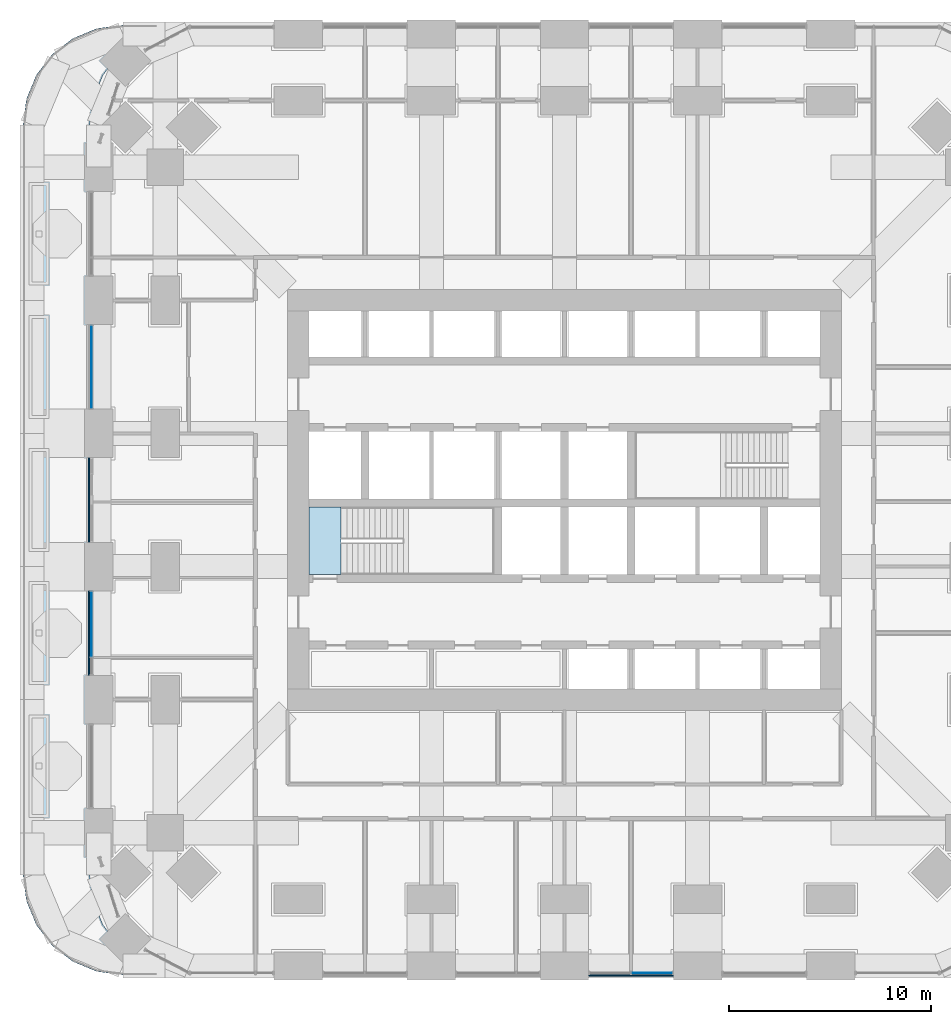
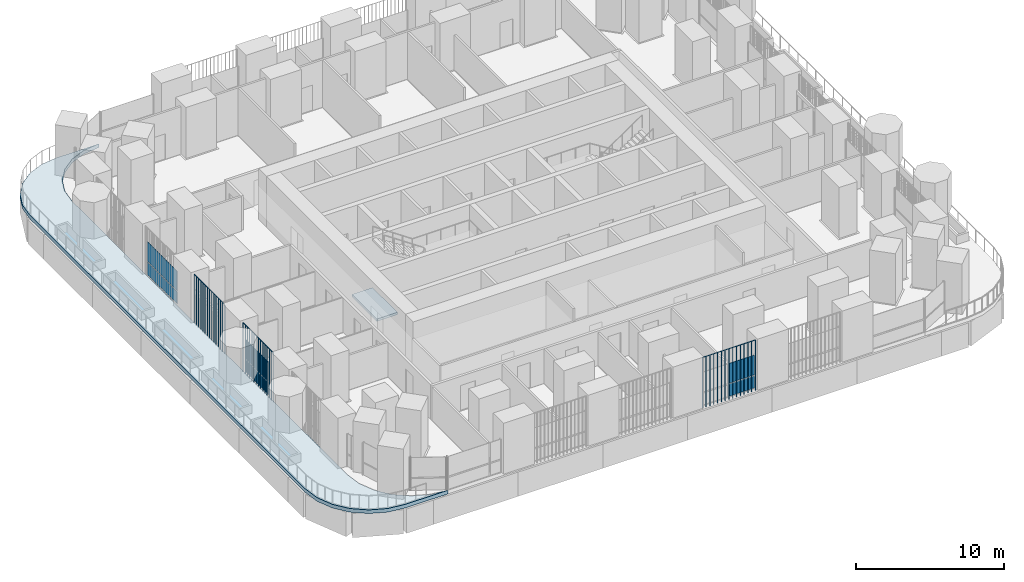
# One storey, part 11 of 27: 9 plates, 2 slabs, 4 elements without a shape of their own.
"""IFC4 building model written with IfcOpenShell, lengths in metres."""

from ifc_helpers import new_model, si_unit, direction, frame, origin, origin_2d, place, context, subcontext, project, spatial, polyline, rectangle, outline, extrude, material, layer, layer_set, type_object, element, aggregate, save


model = new_model("IFC4")

# Units and contexts
model_context = context("Model", 3, precision=1e-05, world=origin(), true_north=direction((0.0, 1.0)))
body_context = subcontext(model_context, "Body", "Model", "MODEL_VIEW")
ifc_project = project(units=[si_unit("LENGTHUNIT", "METRE"), si_unit("AREAUNIT", "SQUARE_METRE"), si_unit("VOLUMEUNIT", "CUBIC_METRE"), si_unit("PLANEANGLEUNIT", "RADIAN"), si_unit("MASSUNIT", "GRAM", prefix="KILO")], contexts=[model_context])

# Site, building, storey
site_placement = place(None, origin())
site = spatial("IfcSite", under=ifc_project, at=site_placement, CompositionType="ELEMENT")
building_placement = place(site_placement, origin())
building = spatial("IfcBuilding", under=site, at=building_placement, Name="Cobogo Forest Laboratory Tower", CompositionType="ELEMENT")
storey_placement = place(building_placement, frame((0.0, 0.0, 82.199951171875)))
storey = spatial("IfcBuildingStorey", under=building, at=storey_placement, Name="L18", CompositionType="ELEMENT", Elevation=82.199951171875)

# Curtain wall, plates
ifc_material_1 = material(Name="Aluminium curtain wall", Category="aluminium")
curtain_wall_type = type_object("IfcCurtainWallType", Name="CW-1 unitised curtain wall, clear glazing, laboratory floors zones A and B", PredefinedType="USERDEFINED", material=ifc_material_1)
curtain_wall_1_placement = place(storey_placement, origin())
curtain_wall_1 = element("IfcCurtainWall", 1, at=curtain_wall_1_placement, inside=storey, type_object=curtain_wall_type, Name="Curtain wall 04 L18", ObjectType="UNITISED CURTAIN WALL", PredefinedType="USERDEFINED")
ifc_material_2 = material(Name="Clear insulated glass", Category="glass")
ifc_layer_1 = layer(ifc_material_2, 0.028076171875)
ifc_layer_set_1 = layer_set([ifc_layer_1], Name="GP-1 clear insulated glass unit 28")
plate_type_1 = type_object("IfcPlateType", Name="GP-1 clear insulated glass unit 28", PredefinedType="CURTAIN_PANEL", material=ifc_layer_set_1)
plate_1_placement = place(storey_placement, frame((30.735107421875, -0.35009765625, 0.0), z_axis=(0.0, 0.0, 1.0), x_axis=(1.0, 0.0, 0.0)))
plate_1 = element("IfcPlate", 2, at=plate_1_placement, type_object=plate_type_1, Name="CW-1 panel 2.1", PredefinedType="CURTAIN_PANEL", context=body_context, shape_type="SweptSolid", body=[
    extrude(rectangle(XDim=2.010009765625, YDim=0.028076171875, at=origin_2d()), origin(), (0.0, 0.0, 1.0), 1.02001953125),
])
plate_2_placement = place(storey_placement, frame((30.735107421875, -0.35009765625, 1.080078125), z_axis=(0.0, 0.0, 1.0), x_axis=(1.0, 0.0, 0.0)))
plate_2 = element("IfcPlate", 3, at=plate_2_placement, type_object=plate_type_1, Name="CW-1 panel 2.2", PredefinedType="CURTAIN_PANEL", context=body_context, shape_type="SweptSolid", body=[
    extrude(rectangle(XDim=2.010009765625, YDim=0.028076171875, at=origin_2d()), origin(), (0.0, 0.0, 1.0), 1.6201171875),
])
aggregate(curtain_wall_1, [plate_1, plate_2])

curtain_wall_2_placement = place(storey_placement, origin())
curtain_wall_2 = element("IfcCurtainWall", 4, at=curtain_wall_2_placement, inside=storey, type_object=curtain_wall_type, Name="Curtain wall 28 L18", ObjectType="UNITISED CURTAIN WALL", PredefinedType="USERDEFINED")
plate_3_placement = place(storey_placement, frame((2.949951171875, 29.699951171875, 0.0), z_axis=(0.0, 0.0, 1.0), x_axis=(0.0, -1.0, 0.0)))
plate_3 = element("IfcPlate", 5, at=plate_3_placement, type_object=plate_type_1, Name="CW-1 panel 1.1", PredefinedType="CURTAIN_PANEL", context=body_context, shape_type="SweptSolid", body=[
    extrude(rectangle(XDim=4.080078125, YDim=0.028076171875, at=origin_2d()), origin(), (0.0, 0.0, 1.0), 1.02001953125),
])
plate_4_placement = place(storey_placement, frame((2.949951171875, 29.699951171875, 1.080078125), z_axis=(0.0, 0.0, 1.0), x_axis=(0.0, -1.0, 0.0)))
plate_4 = element("IfcPlate", 6, at=plate_4_placement, type_object=plate_type_1, Name="CW-1 panel 1.2", PredefinedType="CURTAIN_PANEL", context=body_context, shape_type="SweptSolid", body=[
    extrude(rectangle(XDim=4.080078125, YDim=0.028076171875, at=origin_2d()), origin(), (0.0, 0.0, 1.0), 1.6201171875),
])
aggregate(curtain_wall_2, [plate_3, plate_4])

curtain_wall_3_placement = place(storey_placement, origin())
curtain_wall_3 = element("IfcCurtainWall", 7, at=curtain_wall_3_placement, inside=storey, type_object=curtain_wall_type, Name="Curtain wall 30 L18", ObjectType="UNITISED CURTAIN WALL", PredefinedType="USERDEFINED")
plate_5_placement = place(storey_placement, frame((2.949951171875, 16.93505859375, 0.0), z_axis=(0.0, 0.0, 1.0), x_axis=(0.0, -1.0, 0.0)))
plate_5 = element("IfcPlate", 8, at=plate_5_placement, type_object=plate_type_1, Name="CW-1 panel 1.1", PredefinedType="CURTAIN_PANEL", context=body_context, shape_type="SweptSolid", body=[
    extrude(rectangle(XDim=3.2099609375, YDim=0.028076171875, at=origin_2d()), origin(), (0.0, 0.0, 1.0), 1.02001953125),
])
plate_6_placement = place(storey_placement, frame((2.949951171875, 16.93505859375, 1.080078125), z_axis=(0.0, 0.0, 1.0), x_axis=(0.0, -1.0, 0.0)))
plate_6 = element("IfcPlate", 9, at=plate_6_placement, type_object=plate_type_1, Name="CW-1 panel 1.2", PredefinedType="CURTAIN_PANEL", context=body_context, shape_type="SweptSolid", body=[
    extrude(rectangle(XDim=3.2099609375, YDim=0.028076171875, at=origin_2d()), origin(), (0.0, 0.0, 1.0), 1.6201171875),
])
aggregate(curtain_wall_3, [plate_5, plate_6])

# Stair, slab
ifc_material_3 = material(Name="Precast concrete HA-40 (C40/50)", Category="concrete")
stair_type = type_object("IfcStairType", Name="ST24 exit stair 24 risers", PredefinedType="HALF_TURN_STAIR", material=ifc_material_3)
stair_placement = place(storey_placement, origin())
stair = element("IfcStair", 10, at=stair_placement, inside=storey, type_object=stair_type, Name="Stair 1 L18 to L19", PredefinedType="HALF_TURN_STAIR")
ifc_material_4 = material(Name="Concrete HA-40 (C40/50)", Category="concrete")
ifc_layer_2 = layer(ifc_material_4, 0.199951171875)
ifc_layer_set_2 = layer_set([ifc_layer_2], Name="SL stair landing 200")
slab_type_1 = type_object("IfcSlabType", Name="SL stair landing 200", PredefinedType="LANDING", material=ifc_layer_set_2)
slab_1_placement = place(storey_placement, frame((0.0, 0.0, -0.199951171875)))
slab_1 = element("IfcSlab", 11, at=slab_1_placement, type_object=slab_type_1, Name="ST1 landing 1", PredefinedType="LANDING", context=body_context, shape_type="SweptSolid", body=[
    extrude(outline(polyline([(13.72509765625, 19.39990234375), (15.326904296875, 19.39990234375), (15.326904296875, 22.75), (13.72509765625, 22.75), (13.72509765625, 19.39990234375)])), origin(), (0.0, 0.0, 1.0), 0.199951171875),
])
aggregate(stair, [slab_1])

# Plates
ifc_material_5 = material(Name="Terracotta", Category="masonry")
plate_type_2 = type_object("IfcPlateType", Name="TB1 terracotta baguette screen", PredefinedType="USERDEFINED", material=ifc_material_5)
plate_7_placement = place(storey_placement, frame((27.63134765625, -0.477783203125, -0.14990234375)))
element("IfcPlate", 12, at=plate_7_placement, inside=storey, type_object=plate_type_2, Name="Baguette screen S3 L18", ObjectType="BAGUETTE SCREEN", PredefinedType="USERDEFINED", context=body_context, shape_type="SweptSolid", body=[
    extrude(outline(polyline([(0.02880859375, 0.011962890625), (0.011962890625, 0.02880859375), (-0.011962890625, 0.02880859375), (-0.02880859375, 0.011962890625), (-0.02880859375, -0.011962890625), (-0.011962890625, -0.02880859375), (0.011962890625, -0.02880859375), (0.02880859375, -0.011962890625), (0.02880859375, 0.011962890625)])), frame((0.0, 0.0, 4.168701171875), z_axis=(1.0, 0.0, 0.0), x_axis=(0.0, 1.0, 0.0)), (0.0, 0.0, 1.0), 4.137451171875),
    extrude(outline(polyline([(0.02880859375, 0.011962890625), (0.011962890625, 0.02880859375), (-0.011962890625, 0.02880859375), (-0.02880859375, 0.011962890625), (-0.02880859375, -0.011962890625), (-0.011962890625, -0.02880859375), (0.011962890625, -0.02880859375), (0.02880859375, -0.011962890625), (0.02880859375, 0.011962890625)])), origin(), (0.0, 0.0, 1.0), 4.137451171875),
    extrude(outline(polyline([(0.02880859375, 0.011962890625), (0.011962890625, 0.02880859375), (-0.011962890625, 0.02880859375), (-0.02880859375, 0.011962890625), (-0.02880859375, -0.011962890625), (-0.011962890625, -0.02880859375), (0.011962890625, -0.02880859375), (0.02880859375, -0.011962890625), (0.02880859375, 0.011962890625)])), frame((0.29541015625, 0.0, 0.0)), (0.0, 0.0, 1.0), 4.137451171875),
    extrude(outline(polyline([(0.02880859375, 0.011962890625), (0.011962890625, 0.02880859375), (-0.011962890625, 0.02880859375), (-0.02880859375, 0.011962890625), (-0.02880859375, -0.011962890625), (-0.011962890625, -0.02880859375), (0.011962890625, -0.02880859375), (0.02880859375, -0.011962890625), (0.02880859375, 0.011962890625)])), frame((0.591064453125, 0.0, 0.0)), (0.0, 0.0, 1.0), 4.137451171875),
    extrude(outline(polyline([(0.02880859375, 0.011962890625), (0.011962890625, 0.02880859375), (-0.011962890625, 0.02880859375), (-0.02880859375, 0.011962890625), (-0.02880859375, -0.011962890625), (-0.011962890625, -0.02880859375), (0.011962890625, -0.02880859375), (0.02880859375, -0.011962890625), (0.02880859375, 0.011962890625)])), frame((0.88671875, 0.0, 0.0)), (0.0, 0.0, 1.0), 4.137451171875),
    extrude(outline(polyline([(0.02880859375, 0.011962890625), (0.011962890625, 0.02880859375), (-0.011962890625, 0.02880859375), (-0.02880859375, 0.011962890625), (-0.02880859375, -0.011962890625), (-0.011962890625, -0.02880859375), (0.011962890625, -0.02880859375), (0.02880859375, -0.011962890625), (0.02880859375, 0.011962890625)])), frame((1.18212890625, 0.0, 0.0)), (0.0, 0.0, 1.0), 4.137451171875),
    extrude(outline(polyline([(0.02880859375, 0.011962890625), (0.011962890625, 0.02880859375), (-0.011962890625, 0.02880859375), (-0.02880859375, 0.011962890625), (-0.02880859375, -0.011962890625), (-0.011962890625, -0.02880859375), (0.011962890625, -0.02880859375), (0.02880859375, -0.011962890625), (0.02880859375, 0.011962890625)])), frame((1.4775390625, 0.0, 0.0)), (0.0, 0.0, 1.0), 4.137451171875),
    extrude(outline(polyline([(0.02880859375, 0.011962890625), (0.011962890625, 0.02880859375), (-0.011962890625, 0.02880859375), (-0.02880859375, 0.011962890625), (-0.02880859375, -0.011962890625), (-0.011962890625, -0.02880859375), (0.011962890625, -0.02880859375), (0.02880859375, -0.011962890625), (0.02880859375, 0.011962890625)])), frame((1.773193359375, 0.0, 0.0)), (0.0, 0.0, 1.0), 4.137451171875),
    extrude(outline(polyline([(0.02880859375, 0.011962890625), (0.011962890625, 0.02880859375), (-0.011962890625, 0.02880859375), (-0.02880859375, 0.011962890625), (-0.02880859375, -0.011962890625), (-0.011962890625, -0.02880859375), (0.011962890625, -0.02880859375), (0.02880859375, -0.011962890625), (0.02880859375, 0.011962890625)])), frame((2.06884765625, 0.0, 0.0)), (0.0, 0.0, 1.0), 4.137451171875),
    extrude(outline(polyline([(0.02880859375, 0.011962890625), (0.011962890625, 0.02880859375), (-0.011962890625, 0.02880859375), (-0.02880859375, 0.011962890625), (-0.02880859375, -0.011962890625), (-0.011962890625, -0.02880859375), (0.011962890625, -0.02880859375), (0.02880859375, -0.011962890625), (0.02880859375, 0.011962890625)])), frame((2.3642578125, 0.0, 0.0)), (0.0, 0.0, 1.0), 4.137451171875),
    extrude(outline(polyline([(0.02880859375, 0.011962890625), (0.011962890625, 0.02880859375), (-0.011962890625, 0.02880859375), (-0.02880859375, 0.011962890625), (-0.02880859375, -0.011962890625), (-0.011962890625, -0.02880859375), (0.011962890625, -0.02880859375), (0.02880859375, -0.011962890625), (0.02880859375, 0.011962890625)])), frame((2.65966796875, 0.0, 0.0)), (0.0, 0.0, 1.0), 4.137451171875),
    extrude(outline(polyline([(0.02880859375, 0.011962890625), (0.011962890625, 0.02880859375), (-0.011962890625, 0.02880859375), (-0.02880859375, 0.011962890625), (-0.02880859375, -0.011962890625), (-0.011962890625, -0.02880859375), (0.011962890625, -0.02880859375), (0.02880859375, -0.011962890625), (0.02880859375, 0.011962890625)])), frame((2.955322265625, 0.0, 0.0)), (0.0, 0.0, 1.0), 4.137451171875),
    extrude(outline(polyline([(0.02880859375, 0.011962890625), (0.011962890625, 0.02880859375), (-0.011962890625, 0.02880859375), (-0.02880859375, 0.011962890625), (-0.02880859375, -0.011962890625), (-0.011962890625, -0.02880859375), (0.011962890625, -0.02880859375), (0.02880859375, -0.011962890625), (0.02880859375, 0.011962890625)])), frame((3.2509765625, 0.0, 0.0)), (0.0, 0.0, 1.0), 4.137451171875),
    extrude(outline(polyline([(0.02880859375, 0.011962890625), (0.011962890625, 0.02880859375), (-0.011962890625, 0.02880859375), (-0.02880859375, 0.011962890625), (-0.02880859375, -0.011962890625), (-0.011962890625, -0.02880859375), (0.011962890625, -0.02880859375), (0.02880859375, -0.011962890625), (0.02880859375, 0.011962890625)])), frame((3.54638671875, 0.0, 0.0)), (0.0, 0.0, 1.0), 4.137451171875),
    extrude(outline(polyline([(0.02880859375, 0.011962890625), (0.011962890625, 0.02880859375), (-0.011962890625, 0.02880859375), (-0.02880859375, 0.011962890625), (-0.02880859375, -0.011962890625), (-0.011962890625, -0.02880859375), (0.011962890625, -0.02880859375), (0.02880859375, -0.011962890625), (0.02880859375, 0.011962890625)])), frame((3.841796875, 0.0, 0.0)), (0.0, 0.0, 1.0), 4.137451171875),
    extrude(outline(polyline([(0.02880859375, 0.011962890625), (0.011962890625, 0.02880859375), (-0.011962890625, 0.02880859375), (-0.02880859375, 0.011962890625), (-0.02880859375, -0.011962890625), (-0.011962890625, -0.02880859375), (0.011962890625, -0.02880859375), (0.02880859375, -0.011962890625), (0.02880859375, 0.011962890625)])), frame((4.137451171875, 0.0, 0.0)), (0.0, 0.0, 1.0), 4.137451171875),
])
plate_8_placement = place(storey_placement, frame((2.822021484375, 14.43115234375, -0.14990234375)))
element("IfcPlate", 13, at=plate_8_placement, inside=storey, type_object=plate_type_2, Name="Baguette screen W2 L18", ObjectType="BAGUETTE SCREEN", PredefinedType="USERDEFINED", context=body_context, shape_type="SweptSolid", body=[
    extrude(outline(polyline([(0.02880859375, 0.011962890625), (0.011962890625, 0.02880859375), (-0.011962890625, 0.02880859375), (-0.02880859375, 0.011962890625), (-0.02880859375, -0.011962890625), (-0.011962890625, -0.02880859375), (0.011962890625, -0.02880859375), (0.02880859375, -0.011962890625), (0.02880859375, 0.011962890625)])), frame((0.0, 0.0, 4.168701171875), z_axis=(0.0, 1.0, 0.0), x_axis=(-1.0, 0.0, 0.0)), (0.0, 0.0, 1.0), 4.1376953125),
    extrude(outline(polyline([(0.02880859375, 0.011962890625), (0.011962890625, 0.02880859375), (-0.011962890625, 0.02880859375), (-0.02880859375, 0.011962890625), (-0.02880859375, -0.011962890625), (-0.011962890625, -0.02880859375), (0.011962890625, -0.02880859375), (0.02880859375, -0.011962890625), (0.02880859375, 0.011962890625)])), origin(), (0.0, 0.0, 1.0), 4.137451171875),
    extrude(outline(polyline([(0.02880859375, 0.011962890625), (0.011962890625, 0.02880859375), (-0.011962890625, 0.02880859375), (-0.02880859375, 0.011962890625), (-0.02880859375, -0.011962890625), (-0.011962890625, -0.02880859375), (0.011962890625, -0.02880859375), (0.02880859375, -0.011962890625), (0.02880859375, 0.011962890625)])), frame((0.0, 0.295654296875, 0.0)), (0.0, 0.0, 1.0), 4.137451171875),
    extrude(outline(polyline([(0.02880859375, 0.011962890625), (0.011962890625, 0.02880859375), (-0.011962890625, 0.02880859375), (-0.02880859375, 0.011962890625), (-0.02880859375, -0.011962890625), (-0.011962890625, -0.02880859375), (0.011962890625, -0.02880859375), (0.02880859375, -0.011962890625), (0.02880859375, 0.011962890625)])), frame((0.0, 0.591064453125, 0.0)), (0.0, 0.0, 1.0), 4.137451171875),
    extrude(outline(polyline([(0.02880859375, 0.011962890625), (0.011962890625, 0.02880859375), (-0.011962890625, 0.02880859375), (-0.02880859375, 0.011962890625), (-0.02880859375, -0.011962890625), (-0.011962890625, -0.02880859375), (0.011962890625, -0.02880859375), (0.02880859375, -0.011962890625), (0.02880859375, 0.011962890625)])), frame((0.0, 0.88671875, 0.0)), (0.0, 0.0, 1.0), 4.137451171875),
    extrude(outline(polyline([(0.02880859375, 0.011962890625), (0.011962890625, 0.02880859375), (-0.011962890625, 0.02880859375), (-0.02880859375, 0.011962890625), (-0.02880859375, -0.011962890625), (-0.011962890625, -0.02880859375), (0.011962890625, -0.02880859375), (0.02880859375, -0.011962890625), (0.02880859375, 0.011962890625)])), frame((0.0, 1.18212890625, 0.0)), (0.0, 0.0, 1.0), 4.137451171875),
    extrude(outline(polyline([(0.02880859375, 0.011962890625), (0.011962890625, 0.02880859375), (-0.011962890625, 0.02880859375), (-0.02880859375, 0.011962890625), (-0.02880859375, -0.011962890625), (-0.011962890625, -0.02880859375), (0.011962890625, -0.02880859375), (0.02880859375, -0.011962890625), (0.02880859375, 0.011962890625)])), frame((0.0, 1.477783203125, 0.0)), (0.0, 0.0, 1.0), 4.137451171875),
    extrude(outline(polyline([(0.02880859375, 0.011962890625), (0.011962890625, 0.02880859375), (-0.011962890625, 0.02880859375), (-0.02880859375, 0.011962890625), (-0.02880859375, -0.011962890625), (-0.011962890625, -0.02880859375), (0.011962890625, -0.02880859375), (0.02880859375, -0.011962890625), (0.02880859375, 0.011962890625)])), frame((0.0, 1.773193359375, 0.0)), (0.0, 0.0, 1.0), 4.137451171875),
    extrude(outline(polyline([(0.02880859375, 0.011962890625), (0.011962890625, 0.02880859375), (-0.011962890625, 0.02880859375), (-0.02880859375, 0.011962890625), (-0.02880859375, -0.011962890625), (-0.011962890625, -0.02880859375), (0.011962890625, -0.02880859375), (0.02880859375, -0.011962890625), (0.02880859375, 0.011962890625)])), frame((0.0, 2.06884765625, 0.0)), (0.0, 0.0, 1.0), 4.137451171875),
    extrude(outline(polyline([(0.02880859375, 0.011962890625), (0.011962890625, 0.02880859375), (-0.011962890625, 0.02880859375), (-0.02880859375, 0.011962890625), (-0.02880859375, -0.011962890625), (-0.011962890625, -0.02880859375), (0.011962890625, -0.02880859375), (0.02880859375, -0.011962890625), (0.02880859375, 0.011962890625)])), frame((0.0, 2.364501953125, 0.0)), (0.0, 0.0, 1.0), 4.137451171875),
    extrude(outline(polyline([(0.02880859375, 0.011962890625), (0.011962890625, 0.02880859375), (-0.011962890625, 0.02880859375), (-0.02880859375, 0.011962890625), (-0.02880859375, -0.011962890625), (-0.011962890625, -0.02880859375), (0.011962890625, -0.02880859375), (0.02880859375, -0.011962890625), (0.02880859375, 0.011962890625)])), frame((0.0, 2.659912109375, 0.0)), (0.0, 0.0, 1.0), 4.137451171875),
    extrude(outline(polyline([(0.02880859375, 0.011962890625), (0.011962890625, 0.02880859375), (-0.011962890625, 0.02880859375), (-0.02880859375, 0.011962890625), (-0.02880859375, -0.011962890625), (-0.011962890625, -0.02880859375), (0.011962890625, -0.02880859375), (0.02880859375, -0.011962890625), (0.02880859375, 0.011962890625)])), frame((0.0, 2.95556640625, 0.0)), (0.0, 0.0, 1.0), 4.137451171875),
    extrude(outline(polyline([(0.02880859375, 0.011962890625), (0.011962890625, 0.02880859375), (-0.011962890625, 0.02880859375), (-0.02880859375, 0.011962890625), (-0.02880859375, -0.011962890625), (-0.011962890625, -0.02880859375), (0.011962890625, -0.02880859375), (0.02880859375, -0.011962890625), (0.02880859375, 0.011962890625)])), frame((0.0, 3.2509765625, 0.0)), (0.0, 0.0, 1.0), 4.137451171875),
    extrude(outline(polyline([(0.02880859375, 0.011962890625), (0.011962890625, 0.02880859375), (-0.011962890625, 0.02880859375), (-0.02880859375, 0.011962890625), (-0.02880859375, -0.011962890625), (-0.011962890625, -0.02880859375), (0.011962890625, -0.02880859375), (0.02880859375, -0.011962890625), (0.02880859375, 0.011962890625)])), frame((0.0, 3.546630859375, 0.0)), (0.0, 0.0, 1.0), 4.137451171875),
    extrude(outline(polyline([(0.02880859375, 0.011962890625), (0.011962890625, 0.02880859375), (-0.011962890625, 0.02880859375), (-0.02880859375, 0.011962890625), (-0.02880859375, -0.011962890625), (-0.011962890625, -0.02880859375), (0.011962890625, -0.02880859375), (0.02880859375, -0.011962890625), (0.02880859375, 0.011962890625)])), frame((0.0, 3.842041015625, 0.0)), (0.0, 0.0, 1.0), 4.137451171875),
    extrude(outline(polyline([(0.02880859375, 0.011962890625), (0.011962890625, 0.02880859375), (-0.011962890625, 0.02880859375), (-0.02880859375, 0.011962890625), (-0.02880859375, -0.011962890625), (-0.011962890625, -0.02880859375), (0.011962890625, -0.02880859375), (0.02880859375, -0.011962890625), (0.02880859375, 0.011962890625)])), frame((0.0, 4.1376953125, 0.0)), (0.0, 0.0, 1.0), 4.137451171875),
])
plate_9_placement = place(storey_placement, frame((2.822021484375, 21.03125, -0.14990234375)))
element("IfcPlate", 14, at=plate_9_placement, inside=storey, type_object=plate_type_2, Name="Baguette screen W3 L18", ObjectType="BAGUETTE SCREEN", PredefinedType="USERDEFINED", context=body_context, shape_type="SweptSolid", body=[
    extrude(outline(polyline([(0.02880859375, 0.011962890625), (0.011962890625, 0.02880859375), (-0.011962890625, 0.02880859375), (-0.02880859375, 0.011962890625), (-0.02880859375, -0.011962890625), (-0.011962890625, -0.02880859375), (0.011962890625, -0.02880859375), (0.02880859375, -0.011962890625), (0.02880859375, 0.011962890625)])), frame((0.0, 0.0, 4.168701171875), z_axis=(0.0, 1.0, 0.0), x_axis=(-1.0, 0.0, 0.0)), (0.0, 0.0, 1.0), 4.137451171875),
    extrude(outline(polyline([(0.02880859375, 0.011962890625), (0.011962890625, 0.02880859375), (-0.011962890625, 0.02880859375), (-0.02880859375, 0.011962890625), (-0.02880859375, -0.011962890625), (-0.011962890625, -0.02880859375), (0.011962890625, -0.02880859375), (0.02880859375, -0.011962890625), (0.02880859375, 0.011962890625)])), origin(), (0.0, 0.0, 1.0), 4.137451171875),
    extrude(outline(polyline([(0.02880859375, 0.011962890625), (0.011962890625, 0.02880859375), (-0.011962890625, 0.02880859375), (-0.02880859375, 0.011962890625), (-0.02880859375, -0.011962890625), (-0.011962890625, -0.02880859375), (0.011962890625, -0.02880859375), (0.02880859375, -0.011962890625), (0.02880859375, 0.011962890625)])), frame((0.0, 0.29541015625, 0.0)), (0.0, 0.0, 1.0), 4.137451171875),
    extrude(outline(polyline([(0.02880859375, 0.011962890625), (0.011962890625, 0.02880859375), (-0.011962890625, 0.02880859375), (-0.02880859375, 0.011962890625), (-0.02880859375, -0.011962890625), (-0.011962890625, -0.02880859375), (0.011962890625, -0.02880859375), (0.02880859375, -0.011962890625), (0.02880859375, 0.011962890625)])), frame((0.0, 0.591064453125, 0.0)), (0.0, 0.0, 1.0), 4.137451171875),
    extrude(outline(polyline([(0.02880859375, 0.011962890625), (0.011962890625, 0.02880859375), (-0.011962890625, 0.02880859375), (-0.02880859375, 0.011962890625), (-0.02880859375, -0.011962890625), (-0.011962890625, -0.02880859375), (0.011962890625, -0.02880859375), (0.02880859375, -0.011962890625), (0.02880859375, 0.011962890625)])), frame((0.0, 0.88671875, 0.0)), (0.0, 0.0, 1.0), 4.137451171875),
    extrude(outline(polyline([(0.02880859375, 0.011962890625), (0.011962890625, 0.02880859375), (-0.011962890625, 0.02880859375), (-0.02880859375, 0.011962890625), (-0.02880859375, -0.011962890625), (-0.011962890625, -0.02880859375), (0.011962890625, -0.02880859375), (0.02880859375, -0.011962890625), (0.02880859375, 0.011962890625)])), frame((0.0, 1.18212890625, 0.0)), (0.0, 0.0, 1.0), 4.137451171875),
    extrude(outline(polyline([(0.02880859375, 0.011962890625), (0.011962890625, 0.02880859375), (-0.011962890625, 0.02880859375), (-0.02880859375, 0.011962890625), (-0.02880859375, -0.011962890625), (-0.011962890625, -0.02880859375), (0.011962890625, -0.02880859375), (0.02880859375, -0.011962890625), (0.02880859375, 0.011962890625)])), frame((0.0, 1.4775390625, 0.0)), (0.0, 0.0, 1.0), 4.137451171875),
    extrude(outline(polyline([(0.02880859375, 0.011962890625), (0.011962890625, 0.02880859375), (-0.011962890625, 0.02880859375), (-0.02880859375, 0.011962890625), (-0.02880859375, -0.011962890625), (-0.011962890625, -0.02880859375), (0.011962890625, -0.02880859375), (0.02880859375, -0.011962890625), (0.02880859375, 0.011962890625)])), frame((0.0, 1.773193359375, 0.0)), (0.0, 0.0, 1.0), 4.137451171875),
    extrude(outline(polyline([(0.02880859375, 0.011962890625), (0.011962890625, 0.02880859375), (-0.011962890625, 0.02880859375), (-0.02880859375, 0.011962890625), (-0.02880859375, -0.011962890625), (-0.011962890625, -0.02880859375), (0.011962890625, -0.02880859375), (0.02880859375, -0.011962890625), (0.02880859375, 0.011962890625)])), frame((0.0, 2.06884765625, 0.0)), (0.0, 0.0, 1.0), 4.137451171875),
    extrude(outline(polyline([(0.02880859375, 0.011962890625), (0.011962890625, 0.02880859375), (-0.011962890625, 0.02880859375), (-0.02880859375, 0.011962890625), (-0.02880859375, -0.011962890625), (-0.011962890625, -0.02880859375), (0.011962890625, -0.02880859375), (0.02880859375, -0.011962890625), (0.02880859375, 0.011962890625)])), frame((0.0, 2.3642578125, 0.0)), (0.0, 0.0, 1.0), 4.137451171875),
    extrude(outline(polyline([(0.02880859375, 0.011962890625), (0.011962890625, 0.02880859375), (-0.011962890625, 0.02880859375), (-0.02880859375, 0.011962890625), (-0.02880859375, -0.011962890625), (-0.011962890625, -0.02880859375), (0.011962890625, -0.02880859375), (0.02880859375, -0.011962890625), (0.02880859375, 0.011962890625)])), frame((0.0, 2.65966796875, 0.0)), (0.0, 0.0, 1.0), 4.137451171875),
    extrude(outline(polyline([(0.02880859375, 0.011962890625), (0.011962890625, 0.02880859375), (-0.011962890625, 0.02880859375), (-0.02880859375, 0.011962890625), (-0.02880859375, -0.011962890625), (-0.011962890625, -0.02880859375), (0.011962890625, -0.02880859375), (0.02880859375, -0.011962890625), (0.02880859375, 0.011962890625)])), frame((0.0, 2.955322265625, 0.0)), (0.0, 0.0, 1.0), 4.137451171875),
    extrude(outline(polyline([(0.02880859375, 0.011962890625), (0.011962890625, 0.02880859375), (-0.011962890625, 0.02880859375), (-0.02880859375, 0.011962890625), (-0.02880859375, -0.011962890625), (-0.011962890625, -0.02880859375), (0.011962890625, -0.02880859375), (0.02880859375, -0.011962890625), (0.02880859375, 0.011962890625)])), frame((0.0, 3.2509765625, 0.0)), (0.0, 0.0, 1.0), 4.137451171875),
    extrude(outline(polyline([(0.02880859375, 0.011962890625), (0.011962890625, 0.02880859375), (-0.011962890625, 0.02880859375), (-0.02880859375, 0.011962890625), (-0.02880859375, -0.011962890625), (-0.011962890625, -0.02880859375), (0.011962890625, -0.02880859375), (0.02880859375, -0.011962890625), (0.02880859375, 0.011962890625)])), frame((0.0, 3.54638671875, 0.0)), (0.0, 0.0, 1.0), 4.137451171875),
    extrude(outline(polyline([(0.02880859375, 0.011962890625), (0.011962890625, 0.02880859375), (-0.011962890625, 0.02880859375), (-0.02880859375, 0.011962890625), (-0.02880859375, -0.011962890625), (-0.011962890625, -0.02880859375), (0.011962890625, -0.02880859375), (0.02880859375, -0.011962890625), (0.02880859375, 0.011962890625)])), frame((0.0, 3.841796875, 0.0)), (0.0, 0.0, 1.0), 4.137451171875),
    extrude(outline(polyline([(0.02880859375, 0.011962890625), (0.011962890625, 0.02880859375), (-0.011962890625, 0.02880859375), (-0.02880859375, 0.011962890625), (-0.02880859375, -0.011962890625), (-0.011962890625, -0.02880859375), (0.011962890625, -0.02880859375), (0.02880859375, -0.011962890625), (0.02880859375, 0.011962890625)])), frame((0.0, 4.137451171875, 0.0)), (0.0, 0.0, 1.0), 4.137451171875),
])

# Slab
ifc_layer_3 = layer(ifc_material_4, 0.300048828125)
ifc_layer_set_3 = layer_set([ifc_layer_3], Name="Terrace slab 300")
slab_type_2 = type_object("IfcSlabType", Name="Terrace slab 300", PredefinedType="FLOOR", material=ifc_layer_set_3)
slab_2_placement = place(storey_placement, frame((0.0, 0.0, -0.300048828125)))
element("IfcSlab", 15, at=slab_2_placement, inside=storey, type_object=slab_type_2, Name="Setback terrace W L18", PredefinedType="FLOOR", context=body_context, shape_type="SweptSolid", body=[
    extrude(outline(polyline([(4.5, -0.449951171875), (7.800048828125, -0.449951171875), (6.518798828125, -0.28125), (5.324951171875, 0.213134765625), (4.2998046875, 0.999755859375), (3.51318359375, 2.02490234375), (3.0185546875, 3.21875), (2.85009765625, 4.5), (2.85009765625, 41.699951171875), (3.0185546875, 42.981201171875), (3.51318359375, 44.175048828125), (4.2998046875, 45.2001953125), (5.324951171875, 45.98681640625), (6.518798828125, 46.4814453125), (7.800048828125, 46.64990234375), (4.5, 46.64990234375), (3.21875, 46.4814453125), (2.02490234375, 45.98681640625), (0.999755859375, 45.2001953125), (0.213134765625, 44.175048828125), (-0.28125, 42.981201171875), (-0.449951171875, 41.699951171875), (-0.449951171875, 4.5), (-0.28125, 3.21875), (0.213134765625, 2.02490234375), (0.999755859375, 0.999755859375), (2.02490234375, 0.213134765625), (3.21875, -0.28125), (4.5, -0.449951171875)])), origin(), (0.0, 0.0, 1.0), 0.300048828125),
])

save(model, "model.ifc")
